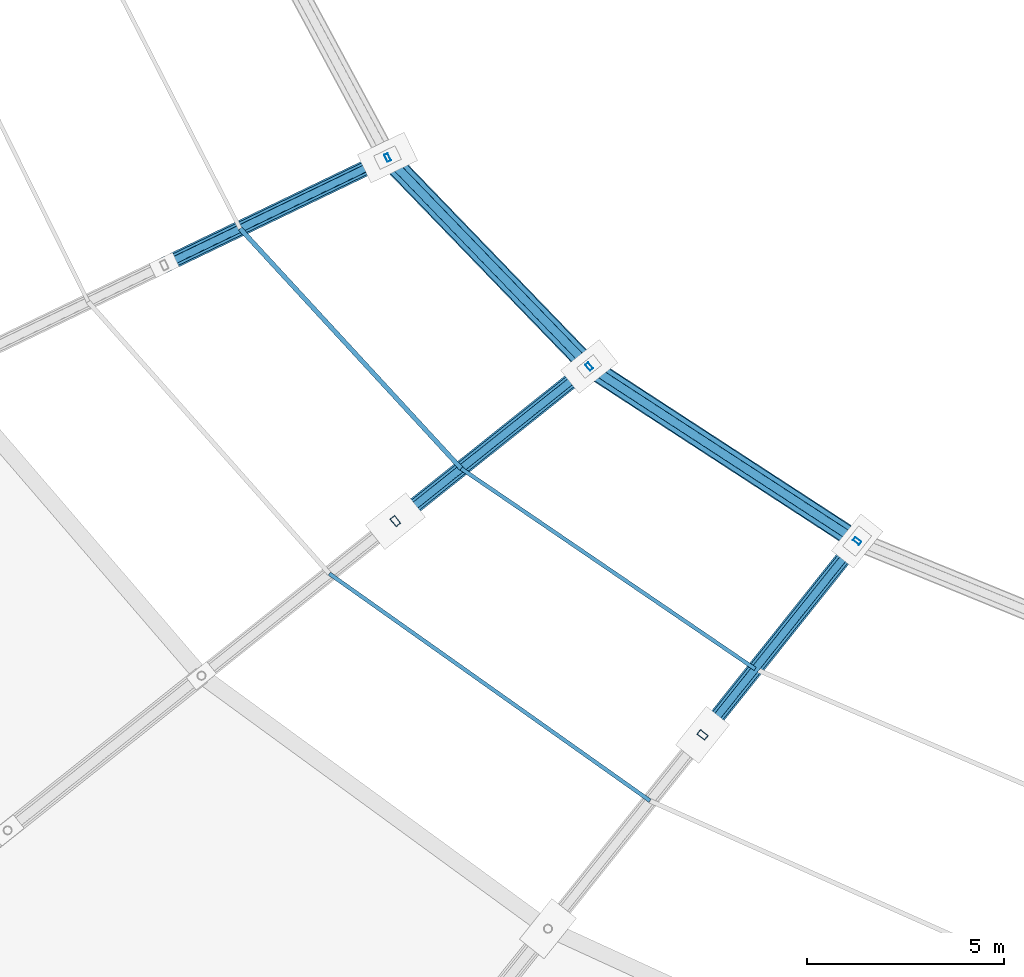
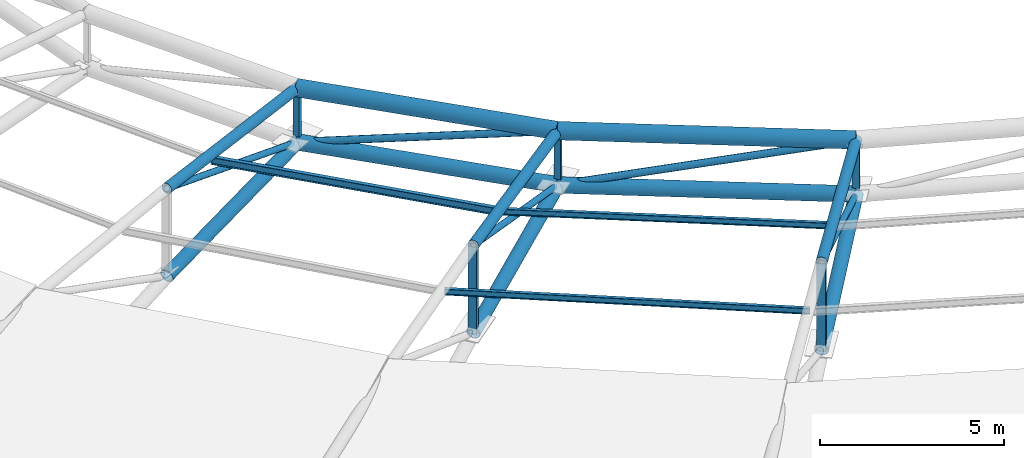
# One storey, part 12 of 108: 23 members.
"""IFC4 building model written with IfcOpenShell, lengths in metres."""

from ifc_helpers import new_model, si_unit, direction, frame, origin, origin_2d, place, context, subcontext, project, spatial, hollow_rectangle, hollow_circle, i_section, extrude, material, material_profile, profile_set, type_object, element, save


model = new_model("IFC4")

# Units and contexts
model_context = context("Model", 3, precision=1e-05, world=origin(), true_north=direction((0.0, 1.0)))
body_context = subcontext(model_context, "Body", "Model", "MODEL_VIEW")
ifc_project = project(units=[si_unit("LENGTHUNIT", "METRE"), si_unit("AREAUNIT", "SQUARE_METRE"), si_unit("VOLUMEUNIT", "CUBIC_METRE"), si_unit("PLANEANGLEUNIT", "RADIAN"), si_unit("MASSUNIT", "GRAM", prefix="KILO")], contexts=[model_context])

# Site, building, storey
site_placement = place(None, origin())
site = spatial("IfcSite", under=ifc_project, at=site_placement, CompositionType="ELEMENT")
building_placement = place(site_placement, origin())
building = spatial("IfcBuilding", under=site, at=building_placement, Name="Zevraka Park Crest Stadium", CompositionType="ELEMENT")
storey_placement = place(building_placement, frame((0.0, 0.0, 29.39990234375)))
storey = spatial("IfcBuildingStorey", under=building, at=storey_placement, Name="RF", CompositionType="ELEMENT", Elevation=29.39990234375)

# Members
ifc_material_1 = material(Name="Steel S355", Category="steel")
ifc_material_profile_1 = material_profile(ifc_material_1, i_section(OverallWidth=0.1201171875, OverallDepth=0.239990234375, WebThickness=0.006103515625, FlangeThickness=0.009765625, at=origin_2d()), Name="IPE 240")
ifc_profile_set_1 = profile_set([ifc_material_profile_1], Name="Steel S355")
member_type_1 = type_object("IfcMemberType", Name="PR01", PredefinedType="PURLIN", material=ifc_profile_set_1)
member_1_placement = place(storey_placement, frame((69.511962890625, 78.047119140625, 9.01708984375), z_axis=(0.677613259557, -0.735418432236, 0.0), x_axis=(0.735418432236, 0.677613259557, 0.0)))
element("IfcMember", 1, at=member_1_placement, inside=storey, type_object=member_type_1, Name="Canopy Roof Purlin PR01 INNER-17-2", PredefinedType="PURLIN", context=body_context, shape_type="SweptSolid", body=[
    extrude(i_section(OverallWidth=0.1201171875, OverallDepth=0.239990234375, WebThickness=0.006103515625, FlangeThickness=0.009765625, at=origin_2d()), origin(), (0.0, 0.0, 1.0), 8.290771484375),
])
ifc_material_2 = material(Name="Steel S355", Category="steel")
ifc_material_profile_2 = material_profile(ifc_material_2, i_section(OverallWidth=0.10009765625, OverallDepth=0.199951171875, WebThickness=0.005615234375, FlangeThickness=0.008544921875, at=origin_2d()), Name="IPE 200")
ifc_profile_set_2 = profile_set([ifc_material_profile_2], Name="Steel S355")
member_type_2 = type_object("IfcMemberType", Name="PR03", PredefinedType="PURLIN", material=ifc_profile_set_2)
member_2_placement = place(storey_placement, frame((71.781005859375, 69.278076171875, 9.173095703125), z_axis=(0.816040825272, -0.577994265966, 0.0), x_axis=(0.577994265966, 0.816040825272, 0.0)))
element("IfcMember", 2, at=member_2_placement, inside=storey, type_object=member_type_2, Name="Canopy Roof Purlin PR03 INNER-18-1", PredefinedType="PURLIN", context=body_context, shape_type="SweptSolid", body=[
    extrude(i_section(OverallWidth=0.10009765625, OverallDepth=0.199951171875, WebThickness=0.005615234375, FlangeThickness=0.008544921875, at=origin_2d()), origin(), (0.0, 0.0, 1.0), 9.981201171875),
])
member_3_placement = place(storey_placement, frame((75.1298828125, 71.949951171875, 9.037109375), z_axis=(0.82621648522, -0.563352748774, 0.0), x_axis=(0.563352748774, 0.82621648522, 0.0)))
element("IfcMember", 3, at=member_3_placement, inside=storey, type_object=member_type_2, Name="Canopy Roof Purlin PR03 INNER-18-2", PredefinedType="PURLIN", context=body_context, shape_type="SweptSolid", body=[
    extrude(i_section(OverallWidth=0.10009765625, OverallDepth=0.199951171875, WebThickness=0.005615234375, FlangeThickness=0.008544921875, at=origin_2d()), origin(), (0.0, 0.0, 1.0), 9.038818359375),
])
ifc_material_3 = material(Name="Steel S355", Category="steel")
ifc_material_profile_3 = material_profile(ifc_material_3, hollow_circle(Radius=0.25390625, WallThickness=0.030029296875, at=origin_2d()), Name="CHS 508.0x30")
ifc_profile_set_3 = profile_set([ifc_material_profile_3], Name="Steel S355")
member_type_3 = type_object("IfcMemberType", Name="TC01", PredefinedType="CHORD", material=ifc_profile_set_3)
member_4_placement = place(storey_placement, frame((73.258056640625, 79.85107421875, 9.0), z_axis=(0.694386610614, -0.7196021366, 0.0), x_axis=(0.7196021366, 0.694386610614, 0.0)))
element("IfcMember", 4, at=member_4_placement, inside=storey, type_object=member_type_3, Name="Roof Inner Oculus Compression-Tension Ring TC01 17", PredefinedType="CHORD", context=body_context, shape_type="SweptSolid", body=[
    extrude(hollow_circle(Radius=0.25390625, WallThickness=0.030029296875, at=origin_2d()), origin(), (0.0, 0.0, 1.0), 7.377685546875),
])
member_5_placement = place(storey_placement, frame((78.381103515625, 74.5419921875, 9.0), z_axis=(0.838029398843, -0.545625078855, 0.0), x_axis=(0.545625078855, 0.838029398843, 0.0)))
element("IfcMember", 5, at=member_5_placement, inside=storey, type_object=member_type_3, Name="Roof Inner Oculus Compression-Tension Ring TC01 18", PredefinedType="CHORD", context=body_context, shape_type="SweptSolid", body=[
    extrude(hollow_circle(Radius=0.25390625, WallThickness=0.030029296875, at=origin_2d()), origin(), (0.0, 0.0, 1.0), 8.124755859375),
])
ifc_material_4 = material(Name="Steel S355", Category="steel")
ifc_material_profile_4 = material_profile(ifc_material_4, hollow_circle(Radius=0.228515625, WallThickness=0.02490234375, at=origin_2d()), Name="CHS 457.0x25")
ifc_profile_set_4 = profile_set([ifc_material_profile_4], Name="Steel S355")
member_type_4 = type_object("IfcMemberType", Name="TC02", PredefinedType="CHORD", material=ifc_profile_set_4)
member_6_placement = place(storey_placement, frame((73.258056640625, 79.85107421875, 7.2001953125), z_axis=(0.694386610614, -0.7196021366, 0.0), x_axis=(0.7196021366, 0.694386610614, 0.0)))
element("IfcMember", 6, at=member_6_placement, inside=storey, type_object=member_type_4, Name="Roof Inner Oculus Bottom Ring TC02 17", PredefinedType="CHORD", context=body_context, shape_type="SweptSolid", body=[
    extrude(hollow_circle(Radius=0.228515625, WallThickness=0.02490234375, at=origin_2d()), origin(), (0.0, 0.0, 1.0), 7.377685546875),
])
member_7_placement = place(storey_placement, frame((78.381103515625, 74.5419921875, 7.2001953125), z_axis=(0.838029398843, -0.545625078855, 0.0), x_axis=(0.545625078855, 0.838029398843, 0.0)))
element("IfcMember", 7, at=member_7_placement, inside=storey, type_object=member_type_4, Name="Roof Inner Oculus Bottom Ring TC02 18", PredefinedType="CHORD", context=body_context, shape_type="SweptSolid", body=[
    extrude(hollow_circle(Radius=0.228515625, WallThickness=0.02490234375, at=origin_2d()), origin(), (0.0, 0.0, 1.0), 8.124755859375),
])
ifc_material_5 = material(Name="Steel S355", Category="steel")
ifc_material_profile_5 = material_profile(ifc_material_5, hollow_circle(Radius=0.203125, WallThickness=0.02001953125, at=origin_2d()), Name="CHS 406.4x20")
ifc_profile_set_5 = profile_set([ifc_material_profile_5], Name="Steel S355")
member_type_5 = type_object("IfcMemberType", Name="TC03", PredefinedType="CHORD", material=ifc_profile_set_5)
member_8_placement = place(storey_placement, frame((67.58203125, 77.117919921875, 6.400146484375), z_axis=(0.893807131385, 0.430391450637, 0.125984170052), x_axis=(-0.433848244141, 0.900985960521, 0.0)))
element("IfcMember", 8, at=member_8_placement, inside=storey, type_object=member_type_5, Name="Roof Truss Bottom Chord TC03 T17-7", PredefinedType="CHORD", context=body_context, shape_type="SweptSolid", body=[
    extrude(hollow_circle(Radius=0.203125, WallThickness=0.02001953125, at=origin_2d()), origin(), (0.0, 0.0, 1.0), 6.350341796875),
])
member_9_placement = place(storey_placement, frame((73.4560546875, 70.614013671875, 6.400146484375), z_axis=(0.775572281546, 0.618558590086, 0.125987724514), x_axis=(-0.623526977414, 0.781801834506, 0.0)))
element("IfcMember", 9, at=member_9_placement, inside=storey, type_object=member_type_5, Name="Roof Truss Bottom Chord TC03 T18-7", PredefinedType="CHORD", context=body_context, shape_type="SweptSolid", body=[
    extrude(hollow_circle(Radius=0.203125, WallThickness=0.02001953125, at=origin_2d()), origin(), (0.0, 0.0, 1.0), 6.35009765625),
])
member_10_placement = place(storey_placement, frame((81.261962890625, 65.18310546875, 6.400146484375), z_axis=(0.618503261421, 0.775618236213, 0.125976455198), x_axis=(-0.781847030375, 0.623470304902, 0.0)))
element("IfcMember", 10, at=member_10_placement, inside=storey, type_object=member_type_5, Name="Roof Truss Bottom Chord TC03 T19-7", PredefinedType="CHORD", context=body_context, shape_type="SweptSolid", body=[
    extrude(hollow_circle(Radius=0.203125, WallThickness=0.02001953125, at=origin_2d()), origin(), (0.0, 0.0, 1.0), 6.350830078125),
])
ifc_material_6 = material(Name="Steel S355", Category="steel")
ifc_material_profile_6 = material_profile(ifc_material_6, hollow_circle(Radius=0.161865234375, WallThickness=0.01611328125, at=origin_2d()), Name="CHS 323.9x16")
ifc_profile_set_6 = profile_set([ifc_material_profile_6], Name="Steel S355")
member_type_6 = type_object("IfcMemberType", Name="TC04", PredefinedType="CHORD", material=ifc_profile_set_6)
member_11_placement = place(storey_placement, frame((67.58203125, 77.117919921875, 9.300048828125), z_axis=(0.899965770272, 0.433356995922, -0.04757443037), x_axis=(-0.433848244141, 0.900985960521, 0.0)))
element("IfcMember", 11, at=member_11_placement, inside=storey, type_object=member_type_6, Name="Roof Truss Top Chord TC04 T17-7", PredefinedType="CHORD", context=body_context, shape_type="SweptSolid", body=[
    extrude(hollow_circle(Radius=0.161865234375, WallThickness=0.01611328125, at=origin_2d()), origin(), (0.0, 0.0, 1.0), 6.306884765625),
])
member_12_placement = place(storey_placement, frame((73.4560546875, 70.614013671875, 9.300048828125), z_axis=(0.78091654628, 0.622820914742, -0.047575791175), x_axis=(-0.623526977414, 0.781801834506, 0.0)))
element("IfcMember", 12, at=member_12_placement, inside=storey, type_object=member_type_6, Name="Roof Truss Top Chord TC04 T18-7", PredefinedType="CHORD", context=body_context, shape_type="SweptSolid", body=[
    extrude(hollow_circle(Radius=0.161865234375, WallThickness=0.01611328125, at=origin_2d()), origin(), (0.0, 0.0, 1.0), 6.306640625),
])
member_13_placement = place(storey_placement, frame((81.261962890625, 65.18310546875, 9.300048828125), z_axis=(0.622764434517, 0.780961851627, -0.047571476787), x_axis=(-0.781847030375, 0.623470304902, 0.0)))
element("IfcMember", 13, at=member_13_placement, inside=storey, type_object=member_type_6, Name="Roof Truss Top Chord TC04 T19-7", PredefinedType="CHORD", context=body_context, shape_type="SweptSolid", body=[
    extrude(hollow_circle(Radius=0.161865234375, WallThickness=0.01611328125, at=origin_2d()), origin(), (0.0, 0.0, 1.0), 6.307373046875),
])
ifc_material_7 = material(Name="Steel S355", Category="steel")
ifc_material_profile_7 = material_profile(ifc_material_7, hollow_circle(Radius=0.109619140625, WallThickness=0.010009765625, at=origin_2d()), Name="CHS 219.1x10")
ifc_profile_set_7 = profile_set([ifc_material_profile_7], Name="Steel S355")
member_type_7 = type_object("IfcMemberType", Name="WB02", PredefinedType="BRACE", material=ifc_profile_set_7)
member_14_placement = place(storey_placement, frame((73.258056640625, 79.85107421875, 7.2001953125), z_axis=(0.674603540831, -0.699100676655, 0.236998537124), x_axis=(0.7196021366, 0.694386610614, 0.0)))
element("IfcMember", 14, at=member_14_placement, inside=storey, type_object=member_type_7, Name="Roof Oculus Ring Brace WB02 17", PredefinedType="BRACE", context=body_context, shape_type="SweptSolid", body=[
    extrude(hollow_circle(Radius=0.109619140625, WallThickness=0.010009765625, at=origin_2d()), origin(), (0.0, 0.0, 1.0), 7.59423828125),
])
member_15_placement = place(storey_placement, frame((78.381103515625, 74.5419921875, 7.2001953125), z_axis=(0.81819505731, -0.53271131452, 0.216276451737), x_axis=(0.545625078855, 0.838029398843, 0.0)))
element("IfcMember", 15, at=member_15_placement, inside=storey, type_object=member_type_7, Name="Roof Oculus Ring Brace WB02 18", PredefinedType="BRACE", context=body_context, shape_type="SweptSolid", body=[
    extrude(hollow_circle(Radius=0.109619140625, WallThickness=0.010009765625, at=origin_2d()), origin(), (0.0, 0.0, 1.0), 8.32177734375),
])
ifc_material_8 = material(Name="Steel S355", Category="steel")
ifc_material_profile_8 = material_profile(ifc_material_8, hollow_rectangle(XDim=0.14990234375, YDim=0.25, WallThickness=0.010009765625, at=origin_2d()), Name="RHS 250x150x10")
ifc_profile_set_8 = profile_set([ifc_material_profile_8], Name="Steel S355")
member_type_8 = type_object("IfcMemberType", Name="WB04", PredefinedType="BRACE", material=ifc_profile_set_8)
for number, where, z_axis, x_axis, name in (
    (16, (73.4560546875, 70.614013671875, 6.400146484375), (0.0, 0.0, 1.0), (0.781847027868, 0.623470308046, 0.0), "Roof Truss Web Post WB04 T18-6"),
    (17, (81.261962890625, 65.18310546875, 6.400146484375), (0.0, 0.0, 1.0), (0.623470308046, 0.781847027868, 0.0), "Roof Truss Web Post WB04 T19-6"),
):
    element("IfcMember", number, at=place(storey_placement, frame(where, z_axis=z_axis, x_axis=x_axis)), inside=storey, type_object=member_type_8, Name=name, PredefinedType="BRACE", context=body_context, shape_type="SweptSolid", body=[
        extrude(hollow_rectangle(XDim=0.14990234375, YDim=0.25, WallThickness=0.010009765625, at=origin_2d()), origin(), (0.0, 0.0, 1.0), 2.89990234375),
    ])
ifc_material_9 = material(Name="Steel S355", Category="steel")
ifc_material_profile_9 = material_profile(ifc_material_9, hollow_rectangle(XDim=0.10009765625, YDim=0.199951171875, WallThickness=0.008056640625, at=origin_2d()), Name="RHS 200x100x8")
ifc_profile_set_9 = profile_set([ifc_material_profile_9], Name="Steel S355")
member_type_9 = type_object("IfcMemberType", Name="WB05", PredefinedType="BRACE", material=ifc_profile_set_9)
for number, where, z_axis, x_axis, name in (
    (18, (73.258056640625, 79.85107421875, 7.2001953125), (0.0, 0.0, 1.0), (0.90100131981, 0.43381634559, 0.0), "Roof Truss Web Post WB05 T17-7"),
    (19, (78.381103515625, 74.5419921875, 7.2001953125), (0.0, 0.0, 1.0), (0.781847027868, 0.623470308046, 0.0), "Roof Truss Web Post WB05 T18-7"),
    (20, (85.18994140625, 70.10888671875, 7.2001953125), (0.0, 0.0, 1.0), (0.623470308046, 0.781847027868, 0.0), "Roof Truss Web Post WB05 T19-7"),
):
    element("IfcMember", number, at=place(storey_placement, frame(where, z_axis=z_axis, x_axis=x_axis)), inside=storey, type_object=member_type_9, Name=name, PredefinedType="BRACE", context=body_context, shape_type="SweptSolid", body=[
        extrude(hollow_rectangle(XDim=0.10009765625, YDim=0.199951171875, WallThickness=0.008056640625, at=origin_2d()), origin(), (0.0, 0.0, 1.0), 1.7998046875),
    ])
ifc_material_10 = material(Name="Steel S355", Category="steel")
ifc_material_profile_10 = material_profile(ifc_material_10, hollow_circle(Radius=0.096923828125, WallThickness=0.010009765625, at=origin_2d()), Name="CHS 193.7x10")
ifc_profile_set_10 = profile_set([ifc_material_profile_10], Name="Steel S355")
member_type_10 = type_object("IfcMemberType", Name="WB08", PredefinedType="BRACE", material=ifc_profile_set_10)
member_16_placement = place(storey_placement, frame((73.258056640625, 79.85107421875, 7.2001953125), z_axis=(-0.854753491558, -0.411586104262, 0.316217247232), x_axis=(0.433848244141, -0.900985960521, 0.0)))
element("IfcMember", 21, at=member_16_placement, inside=storey, type_object=member_type_10, Name="Roof Truss Web Diagonal WB08 T17-7", PredefinedType="BRACE", context=body_context, shape_type="SweptSolid", body=[
    extrude(hollow_circle(Radius=0.096923828125, WallThickness=0.010009765625, at=origin_2d()), origin(), (0.0, 0.0, 1.0), 6.640625),
])
member_17_placement = place(storey_placement, frame((78.381103515625, 74.5419921875, 7.2001953125), z_axis=(-0.741682957745, -0.591530119821, 0.316225406214), x_axis=(0.623526977414, -0.781801834506, 0.0)))
element("IfcMember", 22, at=member_17_placement, inside=storey, type_object=member_type_10, Name="Roof Truss Web Diagonal WB08 T18-7", PredefinedType="BRACE", context=body_context, shape_type="SweptSolid", body=[
    extrude(hollow_circle(Radius=0.096923828125, WallThickness=0.010009765625, at=origin_2d()), origin(), (0.0, 0.0, 1.0), 6.640380859375),
])
member_18_placement = place(storey_placement, frame((85.18994140625, 70.10888671875, 7.2001953125), z_axis=(-0.591481731202, -0.741732575594, 0.316199538198), x_axis=(0.781847030375, -0.623470304902, 0.0)))
element("IfcMember", 23, at=member_18_placement, inside=storey, type_object=member_type_10, Name="Roof Truss Web Diagonal WB08 T19-7", PredefinedType="BRACE", context=body_context, shape_type="SweptSolid", body=[
    extrude(hollow_circle(Radius=0.096923828125, WallThickness=0.010009765625, at=origin_2d()), origin(), (0.0, 0.0, 1.0), 6.640869140625),
])

save(model, "model.ifc")
